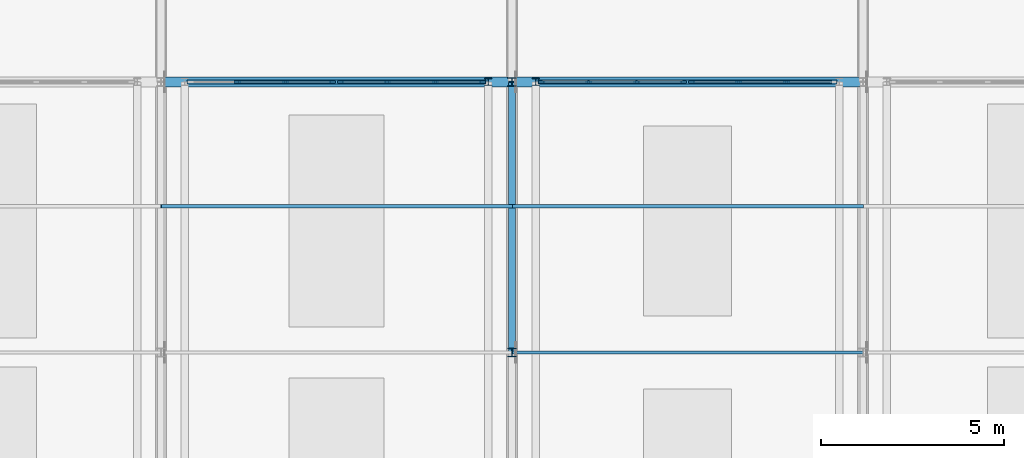
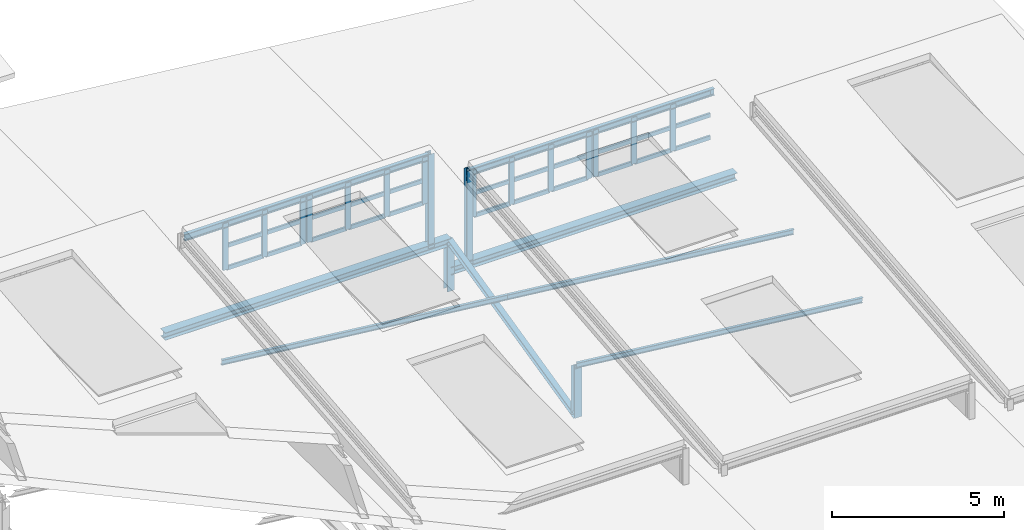
# One storey, part 18 of 30: 55 members, 4 beams, 4 elements without a shape of their own.
"""IFC4 building model written with IfcOpenShell, lengths in metres."""

from ifc_helpers import new_model, si_unit, direction, frame, origin, origin_2d, place, context, subcontext, project, spatial, rectangle, i_section, extrude, material, layer, layer_set, material_profile, profile_set, type_object, element, aggregate, save


model = new_model("IFC4")

# Units and contexts
model_context = context("Model", 3, precision=1e-05, world=origin(), true_north=direction((0.0, 1.0)))
body_context = subcontext(model_context, "Body", "Model", "MODEL_VIEW")
ifc_project = project(units=[si_unit("LENGTHUNIT", "METRE"), si_unit("AREAUNIT", "SQUARE_METRE"), si_unit("VOLUMEUNIT", "CUBIC_METRE"), si_unit("PLANEANGLEUNIT", "RADIAN"), si_unit("MASSUNIT", "GRAM", prefix="KILO")], contexts=[model_context])

# Site, building, storey
site_placement = place(None, origin())
site = spatial("IfcSite", under=ifc_project, at=site_placement, CompositionType="ELEMENT")
building_placement = place(site_placement, origin())
building = spatial("IfcBuilding", under=site, at=building_placement, Name="Alderhovde Museum", CompositionType="ELEMENT")
storey_placement = place(building_placement, frame((0.0, 0.0, 30.699951171875)))
storey = spatial("IfcBuildingStorey", under=building, at=storey_placement, Name="RF", CompositionType="ELEMENT", Elevation=30.699951171875)

# Beams
ifc_material_1 = material(Name="Steel S355J2", Category="steel")
ifc_material_profile_1 = material_profile(ifc_material_1, i_section(OverallWidth=0.280029296875, OverallDepth=0.27001953125, WebThickness=0.008056640625, FlangeThickness=0.012939453125, FilletRadius=0.02392578125, at=origin_2d()), Name="HEA 280")
ifc_profile_set_1 = profile_set([ifc_material_profile_1], Name="Steel S355J2")
beam_type_1 = type_object("IfcBeamType", Name="BM-HEA280", PredefinedType="BEAM", material=ifc_profile_set_1)
beam_1_placement = place(storey_placement, frame((48.0, 71.39990234375, -5.92333984375), z_axis=(1.0, 0.0, 0.0), x_axis=(0.0, 1.0, 0.0)))
element("IfcBeam", 1, at=beam_1_placement, inside=storey, type_object=beam_type_1, Name="Sawtooth Monitor Stringer Bay 5-N", PredefinedType="BEAM", context=body_context, shape_type="SweptSolid", body=[
    extrude(i_section(OverallWidth=0.280029296875, OverallDepth=0.27001953125, WebThickness=0.008056640625, FlangeThickness=0.012939453125, FilletRadius=0.02392578125, at=origin_2d()), origin(), (0.0, 0.0, 1.0), 9.60009765625),
])
beam_2_placement = place(storey_placement, frame((57.60009765625, 71.39990234375, -6.961669921875), z_axis=(1.0, 0.0, 0.0), x_axis=(0.0, 1.0, 0.0)))
element("IfcBeam", 2, at=beam_2_placement, inside=storey, type_object=beam_type_1, Name="Sawtooth Monitor Stringer Bay 6-N", PredefinedType="BEAM", context=body_context, shape_type="SweptSolid", body=[
    extrude(i_section(OverallWidth=0.280029296875, OverallDepth=0.27001953125, WebThickness=0.008056640625, FlangeThickness=0.012939453125, FilletRadius=0.02392578125, at=origin_2d()), origin(), (0.0, 0.0, 1.0), 9.599853515625),
])
ifc_material_2 = material(Name="Steel S355J2", Category="steel")
ifc_material_profile_2 = material_profile(ifc_material_2, i_section(OverallWidth=0.1201171875, OverallDepth=0.239990234375, WebThickness=0.006103515625, FlangeThickness=0.009765625, FilletRadius=0.014892578125, at=origin_2d()), Name="IPE 240")
ifc_profile_set_2 = profile_set([ifc_material_profile_2], Name="Steel S355J2")
beam_type_2 = type_object("IfcBeamType", Name="BM-IPE240", PredefinedType="BEAM", material=ifc_profile_set_2)
for number, where, z_axis, x_axis, name in (
    (3, (48.7099609375, 71.39990234375, -2.71484375), (1.0, 0.0, 0.0), (0.0, 1.0, 0.0), "Sawtooth Monitor Wedge Rafter Bay 5-N"),
    (4, (58.31005859375, 71.39990234375, -3.753173828125), (1.0, 0.0, 0.0), (0.0, 1.0, 0.0), "Sawtooth Monitor Wedge Rafter Bay 6-N"),
):
    element("IfcBeam", number, at=place(storey_placement, frame(where, z_axis=z_axis, x_axis=x_axis)), inside=storey, type_object=beam_type_2, Name=name, PredefinedType="BEAM", context=body_context, shape_type="SweptSolid", body=[
        extrude(i_section(OverallWidth=0.1201171875, OverallDepth=0.239990234375, WebThickness=0.006103515625, FlangeThickness=0.009765625, FilletRadius=0.014892578125, at=origin_2d()), origin(), (0.0, 0.0, 1.0), 8.179931640625),
    ])

# Curtain wall, members
ifc_material_3 = material(Name="Triple-Glazed Bronze-Anodised Curtain Wall", Category="glass")
ifc_layer = layer(ifc_material_3, 0.179931640625)
ifc_layer_set = layer_set([ifc_layer], Name="Triple-Glazed Bronze-Anodised Curtain Wall")
curtain_wall_type = type_object("IfcCurtainWallType", Name="CW-STIC-394x166", PredefinedType="USERDEFINED", material=ifc_layer_set)
curtain_wall_1_placement = place(storey_placement, origin())
curtain_wall_1 = element("IfcCurtainWall", 5, at=curtain_wall_1_placement, inside=storey, type_object=curtain_wall_type, Name="RF Stick Curtain Wall 173", ObjectType="STICK CURTAIN WALL", PredefinedType="USERDEFINED")
ifc_material_4 = material(Name="Bronze-Anodised Aluminium EN AW-6063-T6", Category="aluminium")
ifc_material_profile_3 = material_profile(ifc_material_4, rectangle(XDim=0.06494140625, YDim=0.179931640625, at=origin_2d()), Name="MULLION 65x180")
ifc_profile_set_3 = profile_set([ifc_material_profile_3], Name="Bronze-Anodised Aluminium EN AW-6063-T6")
member_type_1 = type_object("IfcMemberType", Name="CWM-65x180", PredefinedType="MULLION", material=ifc_profile_set_3)
member_1_placement = place(storey_placement, frame((50.09326171875, 71.39990234375, -4.344970703125), z_axis=(0.0, 0.0, 1.0), x_axis=(0.0, 1.0, 0.0)))
member_1 = element("IfcMember", 6, at=member_1_placement, type_object=member_type_1, Name="CW39 mullion 2", PredefinedType="MULLION", context=body_context, shape_type="SweptSolid", body=[
    extrude(rectangle(XDim=0.06494140625, YDim=0.179931640625, at=origin_2d()), origin(), (0.0, 0.0, 1.0), 1.659912109375),
])
member_2_placement = place(storey_placement, frame((51.40673828125, 71.39990234375, -4.344970703125), z_axis=(0.0, 0.0, 1.0), x_axis=(0.0, 1.0, 0.0)))
member_2 = element("IfcMember", 7, at=member_2_placement, type_object=member_type_1, Name="CW39 mullion 3", PredefinedType="MULLION", context=body_context, shape_type="SweptSolid", body=[
    extrude(rectangle(XDim=0.06494140625, YDim=0.179931640625, at=origin_2d()), origin(), (0.0, 0.0, 1.0), 1.659912109375),
])
member_3_placement = place(storey_placement, frame((52.6875, 71.39990234375, -4.344970703125), z_axis=(0.0, 0.0, 1.0), x_axis=(0.0, 1.0, 0.0)))
member_3 = element("IfcMember", 8, at=member_3_placement, type_object=member_type_1, Name="CW39 mullion 4", PredefinedType="MULLION", context=body_context, shape_type="SweptSolid", body=[
    extrude(rectangle(XDim=0.06494140625, YDim=0.179931640625, at=origin_2d()), origin(), (0.0, 0.0, 1.0), 1.659912109375),
])

curtain_wall_2_placement = place(storey_placement, origin())
curtain_wall_2 = element("IfcCurtainWall", 9, at=curtain_wall_2_placement, inside=storey, type_object=curtain_wall_type, Name="RF Stick Curtain Wall 174", ObjectType="STICK CURTAIN WALL", PredefinedType="USERDEFINED")
member_4_placement = place(storey_placement, frame((52.91259765625, 71.39990234375, -4.344970703125), z_axis=(0.0, 0.0, 1.0), x_axis=(0.0, 1.0, 0.0)))
member_4 = element("IfcMember", 10, at=member_4_placement, type_object=member_type_1, Name="CW39 mullion 1", PredefinedType="MULLION", context=body_context, shape_type="SweptSolid", body=[
    extrude(rectangle(XDim=0.06494140625, YDim=0.179931640625, at=origin_2d()), origin(), (0.0, 0.0, 1.0), 1.659912109375),
])
member_5_placement = place(storey_placement, frame((54.193359375, 71.39990234375, -4.344970703125), z_axis=(0.0, 0.0, 1.0), x_axis=(0.0, 1.0, 0.0)))
member_5 = element("IfcMember", 11, at=member_5_placement, type_object=member_type_1, Name="CW39 mullion 2", PredefinedType="MULLION", context=body_context, shape_type="SweptSolid", body=[
    extrude(rectangle(XDim=0.06494140625, YDim=0.179931640625, at=origin_2d()), origin(), (0.0, 0.0, 1.0), 1.659912109375),
])
member_6_placement = place(storey_placement, frame((55.506591796875, 71.39990234375, -4.344970703125), z_axis=(0.0, 0.0, 1.0), x_axis=(0.0, 1.0, 0.0)))
member_6 = element("IfcMember", 12, at=member_6_placement, type_object=member_type_1, Name="CW39 mullion 3", PredefinedType="MULLION", context=body_context, shape_type="SweptSolid", body=[
    extrude(rectangle(XDim=0.06494140625, YDim=0.179931640625, at=origin_2d()), origin(), (0.0, 0.0, 1.0), 1.659912109375),
])
member_7_placement = place(storey_placement, frame((56.78759765625, 71.39990234375, -4.344970703125), z_axis=(0.0, 0.0, 1.0), x_axis=(0.0, 1.0, 0.0)))
member_7 = element("IfcMember", 13, at=member_7_placement, type_object=member_type_1, Name="CW39 mullion 4", PredefinedType="MULLION", context=body_context, shape_type="SweptSolid", body=[
    extrude(rectangle(XDim=0.06494140625, YDim=0.179931640625, at=origin_2d()), origin(), (0.0, 0.0, 1.0), 1.659912109375),
])

curtain_wall_3_placement = place(storey_placement, origin())
curtain_wall_3 = element("IfcCurtainWall", 14, at=curtain_wall_3_placement, inside=storey, type_object=curtain_wall_type, Name="RF Stick Curtain Wall 175", ObjectType="STICK CURTAIN WALL", PredefinedType="USERDEFINED")
member_8_placement = place(storey_placement, frame((58.41259765625, 71.39990234375, -5.383056640625), z_axis=(0.0, 0.0, 1.0), x_axis=(0.0, 1.0, 0.0)))
member_8 = element("IfcMember", 15, at=member_8_placement, type_object=member_type_1, Name="CW39 mullion 1", PredefinedType="MULLION", context=body_context, shape_type="SweptSolid", body=[
    extrude(rectangle(XDim=0.06494140625, YDim=0.179931640625, at=origin_2d()), origin(), (0.0, 0.0, 1.0), 1.66015625),
])
member_9_placement = place(storey_placement, frame((59.693359375, 71.39990234375, -5.383056640625), z_axis=(0.0, 0.0, 1.0), x_axis=(0.0, 1.0, 0.0)))
member_9 = element("IfcMember", 16, at=member_9_placement, type_object=member_type_1, Name="CW39 mullion 2", PredefinedType="MULLION", context=body_context, shape_type="SweptSolid", body=[
    extrude(rectangle(XDim=0.06494140625, YDim=0.179931640625, at=origin_2d()), origin(), (0.0, 0.0, 1.0), 1.66015625),
])
member_10_placement = place(storey_placement, frame((61.006591796875, 71.39990234375, -5.383056640625), z_axis=(0.0, 0.0, 1.0), x_axis=(0.0, 1.0, 0.0)))
member_10 = element("IfcMember", 17, at=member_10_placement, type_object=member_type_1, Name="CW39 mullion 3", PredefinedType="MULLION", context=body_context, shape_type="SweptSolid", body=[
    extrude(rectangle(XDim=0.06494140625, YDim=0.179931640625, at=origin_2d()), origin(), (0.0, 0.0, 1.0), 1.66015625),
])
member_11_placement = place(storey_placement, frame((62.28759765625, 71.39990234375, -5.383056640625), z_axis=(0.0, 0.0, 1.0), x_axis=(0.0, 1.0, 0.0)))
member_11 = element("IfcMember", 18, at=member_11_placement, type_object=member_type_1, Name="CW39 mullion 4", PredefinedType="MULLION", context=body_context, shape_type="SweptSolid", body=[
    extrude(rectangle(XDim=0.06494140625, YDim=0.179931640625, at=origin_2d()), origin(), (0.0, 0.0, 1.0), 1.66015625),
])

curtain_wall_4_placement = place(storey_placement, origin())
curtain_wall_4 = element("IfcCurtainWall", 19, at=curtain_wall_4_placement, inside=storey, type_object=curtain_wall_type, Name="RF Stick Curtain Wall 176", ObjectType="STICK CURTAIN WALL", PredefinedType="USERDEFINED")
member_12_placement = place(storey_placement, frame((62.512451171875, 71.39990234375, -5.383056640625), z_axis=(0.0, 0.0, 1.0), x_axis=(0.0, 1.0, 0.0)))
member_12 = element("IfcMember", 20, at=member_12_placement, type_object=member_type_1, Name="CW39 mullion 1", PredefinedType="MULLION", context=body_context, shape_type="SweptSolid", body=[
    extrude(rectangle(XDim=0.06494140625, YDim=0.179931640625, at=origin_2d()), origin(), (0.0, 0.0, 1.0), 1.66015625),
])
member_13_placement = place(storey_placement, frame((63.793212890625, 71.39990234375, -5.383056640625), z_axis=(0.0, 0.0, 1.0), x_axis=(0.0, 1.0, 0.0)))
member_13 = element("IfcMember", 21, at=member_13_placement, type_object=member_type_1, Name="CW39 mullion 2", PredefinedType="MULLION", context=body_context, shape_type="SweptSolid", body=[
    extrude(rectangle(XDim=0.06494140625, YDim=0.179931640625, at=origin_2d()), origin(), (0.0, 0.0, 1.0), 1.66015625),
])
member_14_placement = place(storey_placement, frame((65.106689453125, 71.39990234375, -5.383056640625), z_axis=(0.0, 0.0, 1.0), x_axis=(0.0, 1.0, 0.0)))
member_14 = element("IfcMember", 22, at=member_14_placement, type_object=member_type_1, Name="CW39 mullion 3", PredefinedType="MULLION", context=body_context, shape_type="SweptSolid", body=[
    extrude(rectangle(XDim=0.06494140625, YDim=0.179931640625, at=origin_2d()), origin(), (0.0, 0.0, 1.0), 1.66015625),
])

# Member
ifc_material_5 = material(Name="Bronze-Anodised Aluminium EN AW-6063-T6", Category="aluminium")
ifc_material_profile_4 = material_profile(ifc_material_5, rectangle(XDim=0.06494140625, YDim=0.139892578125, at=origin_2d()), Name="TRANSOM 65x140")
ifc_profile_set_4 = profile_set([ifc_material_profile_4], Name="Bronze-Anodised Aluminium EN AW-6063-T6")
member_type_2 = type_object("IfcMemberType", Name="CWT-65x140", PredefinedType="USERDEFINED", material=ifc_profile_set_4)
member_15_placement = place(storey_placement, frame((50.125732421875, 71.39990234375, -4.3125), z_axis=(1.0, 0.0, 0.0), x_axis=(0.0, 1.0, 0.0)))
member_15 = element("IfcMember", 23, at=member_15_placement, type_object=member_type_2, Name="CW39 transom 2.1", ObjectType="TRANSOM", PredefinedType="USERDEFINED", context=body_context, shape_type="SweptSolid", body=[
    extrude(rectangle(XDim=0.06494140625, YDim=0.139892578125, at=origin_2d()), origin(), (0.0, 0.0, 1.0), 1.24853515625),
])

member_16_placement = place(storey_placement, frame((50.125732421875, 71.39990234375, -3.514892578125), z_axis=(1.0, 0.0, 0.0), x_axis=(0.0, 1.0, 0.0)))
member_16 = element("IfcMember", 24, at=member_16_placement, type_object=member_type_2, Name="CW39 transom 2.2", ObjectType="TRANSOM", PredefinedType="USERDEFINED", context=body_context, shape_type="SweptSolid", body=[
    extrude(rectangle(XDim=0.06494140625, YDim=0.139892578125, at=origin_2d()), origin(), (0.0, 0.0, 1.0), 1.24853515625),
])

member_17_placement = place(storey_placement, frame((50.125732421875, 71.39990234375, -2.717529296875), z_axis=(1.0, 0.0, 0.0), x_axis=(0.0, 1.0, 0.0)))
member_17 = element("IfcMember", 25, at=member_17_placement, type_object=member_type_2, Name="CW39 transom 2.3", ObjectType="TRANSOM", PredefinedType="USERDEFINED", context=body_context, shape_type="SweptSolid", body=[
    extrude(rectangle(XDim=0.06494140625, YDim=0.139892578125, at=origin_2d()), origin(), (0.0, 0.0, 1.0), 1.24853515625),
])

member_18_placement = place(storey_placement, frame((51.439208984375, 71.39990234375, -4.3125), z_axis=(1.0, 0.0, 0.0), x_axis=(0.0, 1.0, 0.0)))
member_18 = element("IfcMember", 26, at=member_18_placement, type_object=member_type_2, Name="CW39 transom 3.1", ObjectType="TRANSOM", PredefinedType="USERDEFINED", context=body_context, shape_type="SweptSolid", body=[
    extrude(rectangle(XDim=0.06494140625, YDim=0.139892578125, at=origin_2d()), origin(), (0.0, 0.0, 1.0), 1.2158203125),
])

member_19_placement = place(storey_placement, frame((51.439208984375, 71.39990234375, -3.514892578125), z_axis=(1.0, 0.0, 0.0), x_axis=(0.0, 1.0, 0.0)))
member_19 = element("IfcMember", 27, at=member_19_placement, type_object=member_type_2, Name="CW39 transom 3.2", ObjectType="TRANSOM", PredefinedType="USERDEFINED", context=body_context, shape_type="SweptSolid", body=[
    extrude(rectangle(XDim=0.06494140625, YDim=0.139892578125, at=origin_2d()), origin(), (0.0, 0.0, 1.0), 1.2158203125),
])

member_20_placement = place(storey_placement, frame((51.439208984375, 71.39990234375, -2.717529296875), z_axis=(1.0, 0.0, 0.0), x_axis=(0.0, 1.0, 0.0)))
member_20 = element("IfcMember", 28, at=member_20_placement, type_object=member_type_2, Name="CW39 transom 3.3", ObjectType="TRANSOM", PredefinedType="USERDEFINED", context=body_context, shape_type="SweptSolid", body=[
    extrude(rectangle(XDim=0.06494140625, YDim=0.139892578125, at=origin_2d()), origin(), (0.0, 0.0, 1.0), 1.2158203125),
])

aggregate(curtain_wall_1, [member_1, member_2, member_3, member_15, member_16, member_17, member_18, member_19, member_20])

member_21_placement = place(storey_placement, frame((52.945068359375, 71.39990234375, -4.3125), z_axis=(1.0, 0.0, 0.0), x_axis=(0.0, 1.0, 0.0)))
member_21 = element("IfcMember", 29, at=member_21_placement, type_object=member_type_2, Name="CW39 transom 1.1", ObjectType="TRANSOM", PredefinedType="USERDEFINED", context=body_context, shape_type="SweptSolid", body=[
    extrude(rectangle(XDim=0.06494140625, YDim=0.139892578125, at=origin_2d()), origin(), (0.0, 0.0, 1.0), 1.2158203125),
])

member_22_placement = place(storey_placement, frame((52.945068359375, 71.39990234375, -3.514892578125), z_axis=(1.0, 0.0, 0.0), x_axis=(0.0, 1.0, 0.0)))
member_22 = element("IfcMember", 30, at=member_22_placement, type_object=member_type_2, Name="CW39 transom 1.2", ObjectType="TRANSOM", PredefinedType="USERDEFINED", context=body_context, shape_type="SweptSolid", body=[
    extrude(rectangle(XDim=0.06494140625, YDim=0.139892578125, at=origin_2d()), origin(), (0.0, 0.0, 1.0), 1.2158203125),
])

member_23_placement = place(storey_placement, frame((52.945068359375, 71.39990234375, -2.717529296875), z_axis=(1.0, 0.0, 0.0), x_axis=(0.0, 1.0, 0.0)))
member_23 = element("IfcMember", 31, at=member_23_placement, type_object=member_type_2, Name="CW39 transom 1.3", ObjectType="TRANSOM", PredefinedType="USERDEFINED", context=body_context, shape_type="SweptSolid", body=[
    extrude(rectangle(XDim=0.06494140625, YDim=0.139892578125, at=origin_2d()), origin(), (0.0, 0.0, 1.0), 1.2158203125),
])

member_24_placement = place(storey_placement, frame((54.225830078125, 71.39990234375, -4.3125), z_axis=(1.0, 0.0, 0.0), x_axis=(0.0, 1.0, 0.0)))
member_24 = element("IfcMember", 32, at=member_24_placement, type_object=member_type_2, Name="CW39 transom 2.1", ObjectType="TRANSOM", PredefinedType="USERDEFINED", context=body_context, shape_type="SweptSolid", body=[
    extrude(rectangle(XDim=0.06494140625, YDim=0.139892578125, at=origin_2d()), origin(), (0.0, 0.0, 1.0), 1.248291015625),
])

member_25_placement = place(storey_placement, frame((54.225830078125, 71.39990234375, -3.514892578125), z_axis=(1.0, 0.0, 0.0), x_axis=(0.0, 1.0, 0.0)))
member_25 = element("IfcMember", 33, at=member_25_placement, type_object=member_type_2, Name="CW39 transom 2.2", ObjectType="TRANSOM", PredefinedType="USERDEFINED", context=body_context, shape_type="SweptSolid", body=[
    extrude(rectangle(XDim=0.06494140625, YDim=0.139892578125, at=origin_2d()), origin(), (0.0, 0.0, 1.0), 1.248291015625),
])

member_26_placement = place(storey_placement, frame((54.225830078125, 71.39990234375, -2.717529296875), z_axis=(1.0, 0.0, 0.0), x_axis=(0.0, 1.0, 0.0)))
member_26 = element("IfcMember", 34, at=member_26_placement, type_object=member_type_2, Name="CW39 transom 2.3", ObjectType="TRANSOM", PredefinedType="USERDEFINED", context=body_context, shape_type="SweptSolid", body=[
    extrude(rectangle(XDim=0.06494140625, YDim=0.139892578125, at=origin_2d()), origin(), (0.0, 0.0, 1.0), 1.248291015625),
])

member_27_placement = place(storey_placement, frame((55.5390625, 71.39990234375, -4.3125), z_axis=(1.0, 0.0, 0.0), x_axis=(0.0, 1.0, 0.0)))
member_27 = element("IfcMember", 35, at=member_27_placement, type_object=member_type_2, Name="CW39 transom 3.1", ObjectType="TRANSOM", PredefinedType="USERDEFINED", context=body_context, shape_type="SweptSolid", body=[
    extrude(rectangle(XDim=0.06494140625, YDim=0.139892578125, at=origin_2d()), origin(), (0.0, 0.0, 1.0), 1.2158203125),
])

member_28_placement = place(storey_placement, frame((55.5390625, 71.39990234375, -3.514892578125), z_axis=(1.0, 0.0, 0.0), x_axis=(0.0, 1.0, 0.0)))
member_28 = element("IfcMember", 36, at=member_28_placement, type_object=member_type_2, Name="CW39 transom 3.2", ObjectType="TRANSOM", PredefinedType="USERDEFINED", context=body_context, shape_type="SweptSolid", body=[
    extrude(rectangle(XDim=0.06494140625, YDim=0.139892578125, at=origin_2d()), origin(), (0.0, 0.0, 1.0), 1.2158203125),
])

member_29_placement = place(storey_placement, frame((55.5390625, 71.39990234375, -2.717529296875), z_axis=(1.0, 0.0, 0.0), x_axis=(0.0, 1.0, 0.0)))
member_29 = element("IfcMember", 37, at=member_29_placement, type_object=member_type_2, Name="CW39 transom 3.3", ObjectType="TRANSOM", PredefinedType="USERDEFINED", context=body_context, shape_type="SweptSolid", body=[
    extrude(rectangle(XDim=0.06494140625, YDim=0.139892578125, at=origin_2d()), origin(), (0.0, 0.0, 1.0), 1.2158203125),
])

aggregate(curtain_wall_2, [member_4, member_5, member_6, member_7, member_21, member_22, member_23, member_24, member_25, member_26, member_27, member_28, member_29])

member_30_placement = place(storey_placement, frame((58.445068359375, 71.39990234375, -5.350341796875), z_axis=(1.0, 0.0, 0.0), x_axis=(0.0, 1.0, 0.0)))
member_30 = element("IfcMember", 38, at=member_30_placement, type_object=member_type_2, Name="CW39 transom 1.1", ObjectType="TRANSOM", PredefinedType="USERDEFINED", context=body_context, shape_type="SweptSolid", body=[
    extrude(rectangle(XDim=0.06494140625, YDim=0.139892578125, at=origin_2d()), origin(), (0.0, 0.0, 1.0), 1.2158203125),
])

member_31_placement = place(storey_placement, frame((58.445068359375, 71.39990234375, -4.552978515625), z_axis=(1.0, 0.0, 0.0), x_axis=(0.0, 1.0, 0.0)))
member_31 = element("IfcMember", 39, at=member_31_placement, type_object=member_type_2, Name="CW39 transom 1.2", ObjectType="TRANSOM", PredefinedType="USERDEFINED", context=body_context, shape_type="SweptSolid", body=[
    extrude(rectangle(XDim=0.06494140625, YDim=0.139892578125, at=origin_2d()), origin(), (0.0, 0.0, 1.0), 1.2158203125),
])

member_32_placement = place(storey_placement, frame((58.445068359375, 71.39990234375, -3.75537109375), z_axis=(1.0, 0.0, 0.0), x_axis=(0.0, 1.0, 0.0)))
member_32 = element("IfcMember", 40, at=member_32_placement, type_object=member_type_2, Name="CW39 transom 1.3", ObjectType="TRANSOM", PredefinedType="USERDEFINED", context=body_context, shape_type="SweptSolid", body=[
    extrude(rectangle(XDim=0.06494140625, YDim=0.139892578125, at=origin_2d()), origin(), (0.0, 0.0, 1.0), 1.2158203125),
])

member_33_placement = place(storey_placement, frame((59.725830078125, 71.39990234375, -5.350341796875), z_axis=(1.0, 0.0, 0.0), x_axis=(0.0, 1.0, 0.0)))
member_33 = element("IfcMember", 41, at=member_33_placement, type_object=member_type_2, Name="CW39 transom 2.1", ObjectType="TRANSOM", PredefinedType="USERDEFINED", context=body_context, shape_type="SweptSolid", body=[
    extrude(rectangle(XDim=0.06494140625, YDim=0.139892578125, at=origin_2d()), origin(), (0.0, 0.0, 1.0), 1.248291015625),
])

member_34_placement = place(storey_placement, frame((59.725830078125, 71.39990234375, -4.552978515625), z_axis=(1.0, 0.0, 0.0), x_axis=(0.0, 1.0, 0.0)))
member_34 = element("IfcMember", 42, at=member_34_placement, type_object=member_type_2, Name="CW39 transom 2.2", ObjectType="TRANSOM", PredefinedType="USERDEFINED", context=body_context, shape_type="SweptSolid", body=[
    extrude(rectangle(XDim=0.06494140625, YDim=0.139892578125, at=origin_2d()), origin(), (0.0, 0.0, 1.0), 1.248291015625),
])

member_35_placement = place(storey_placement, frame((59.725830078125, 71.39990234375, -3.75537109375), z_axis=(1.0, 0.0, 0.0), x_axis=(0.0, 1.0, 0.0)))
member_35 = element("IfcMember", 43, at=member_35_placement, type_object=member_type_2, Name="CW39 transom 2.3", ObjectType="TRANSOM", PredefinedType="USERDEFINED", context=body_context, shape_type="SweptSolid", body=[
    extrude(rectangle(XDim=0.06494140625, YDim=0.139892578125, at=origin_2d()), origin(), (0.0, 0.0, 1.0), 1.248291015625),
])

member_36_placement = place(storey_placement, frame((61.0390625, 71.39990234375, -5.350341796875), z_axis=(1.0, 0.0, 0.0), x_axis=(0.0, 1.0, 0.0)))
member_36 = element("IfcMember", 44, at=member_36_placement, type_object=member_type_2, Name="CW39 transom 3.1", ObjectType="TRANSOM", PredefinedType="USERDEFINED", context=body_context, shape_type="SweptSolid", body=[
    extrude(rectangle(XDim=0.06494140625, YDim=0.139892578125, at=origin_2d()), origin(), (0.0, 0.0, 1.0), 1.2158203125),
])

member_37_placement = place(storey_placement, frame((61.0390625, 71.39990234375, -4.552978515625), z_axis=(1.0, 0.0, 0.0), x_axis=(0.0, 1.0, 0.0)))
member_37 = element("IfcMember", 45, at=member_37_placement, type_object=member_type_2, Name="CW39 transom 3.2", ObjectType="TRANSOM", PredefinedType="USERDEFINED", context=body_context, shape_type="SweptSolid", body=[
    extrude(rectangle(XDim=0.06494140625, YDim=0.139892578125, at=origin_2d()), origin(), (0.0, 0.0, 1.0), 1.2158203125),
])

member_38_placement = place(storey_placement, frame((61.0390625, 71.39990234375, -3.75537109375), z_axis=(1.0, 0.0, 0.0), x_axis=(0.0, 1.0, 0.0)))
member_38 = element("IfcMember", 46, at=member_38_placement, type_object=member_type_2, Name="CW39 transom 3.3", ObjectType="TRANSOM", PredefinedType="USERDEFINED", context=body_context, shape_type="SweptSolid", body=[
    extrude(rectangle(XDim=0.06494140625, YDim=0.139892578125, at=origin_2d()), origin(), (0.0, 0.0, 1.0), 1.2158203125),
])

aggregate(curtain_wall_3, [member_8, member_9, member_10, member_11, member_30, member_31, member_32, member_33, member_34, member_35, member_36, member_37, member_38])

member_39_placement = place(storey_placement, frame((62.544921875, 71.39990234375, -5.350341796875), z_axis=(1.0, 0.0, 0.0), x_axis=(0.0, 1.0, 0.0)))
member_39 = element("IfcMember", 47, at=member_39_placement, type_object=member_type_2, Name="CW39 transom 1.1", ObjectType="TRANSOM", PredefinedType="USERDEFINED", context=body_context, shape_type="SweptSolid", body=[
    extrude(rectangle(XDim=0.06494140625, YDim=0.139892578125, at=origin_2d()), origin(), (0.0, 0.0, 1.0), 1.2158203125),
])

member_40_placement = place(storey_placement, frame((62.544921875, 71.39990234375, -4.552978515625), z_axis=(1.0, 0.0, 0.0), x_axis=(0.0, 1.0, 0.0)))
member_40 = element("IfcMember", 48, at=member_40_placement, type_object=member_type_2, Name="CW39 transom 1.2", ObjectType="TRANSOM", PredefinedType="USERDEFINED", context=body_context, shape_type="SweptSolid", body=[
    extrude(rectangle(XDim=0.06494140625, YDim=0.139892578125, at=origin_2d()), origin(), (0.0, 0.0, 1.0), 1.2158203125),
])

member_41_placement = place(storey_placement, frame((62.544921875, 71.39990234375, -3.75537109375), z_axis=(1.0, 0.0, 0.0), x_axis=(0.0, 1.0, 0.0)))
member_41 = element("IfcMember", 49, at=member_41_placement, type_object=member_type_2, Name="CW39 transom 1.3", ObjectType="TRANSOM", PredefinedType="USERDEFINED", context=body_context, shape_type="SweptSolid", body=[
    extrude(rectangle(XDim=0.06494140625, YDim=0.139892578125, at=origin_2d()), origin(), (0.0, 0.0, 1.0), 1.2158203125),
])

member_42_placement = place(storey_placement, frame((63.825927734375, 71.39990234375, -5.350341796875), z_axis=(1.0, 0.0, 0.0), x_axis=(0.0, 1.0, 0.0)))
member_42 = element("IfcMember", 50, at=member_42_placement, type_object=member_type_2, Name="CW39 transom 2.1", ObjectType="TRANSOM", PredefinedType="USERDEFINED", context=body_context, shape_type="SweptSolid", body=[
    extrude(rectangle(XDim=0.06494140625, YDim=0.139892578125, at=origin_2d()), origin(), (0.0, 0.0, 1.0), 1.248291015625),
])

member_43_placement = place(storey_placement, frame((63.825927734375, 71.39990234375, -4.552978515625), z_axis=(1.0, 0.0, 0.0), x_axis=(0.0, 1.0, 0.0)))
member_43 = element("IfcMember", 51, at=member_43_placement, type_object=member_type_2, Name="CW39 transom 2.2", ObjectType="TRANSOM", PredefinedType="USERDEFINED", context=body_context, shape_type="SweptSolid", body=[
    extrude(rectangle(XDim=0.06494140625, YDim=0.139892578125, at=origin_2d()), origin(), (0.0, 0.0, 1.0), 1.248291015625),
])

member_44_placement = place(storey_placement, frame((63.825927734375, 71.39990234375, -3.75537109375), z_axis=(1.0, 0.0, 0.0), x_axis=(0.0, 1.0, 0.0)))
member_44 = element("IfcMember", 52, at=member_44_placement, type_object=member_type_2, Name="CW39 transom 2.3", ObjectType="TRANSOM", PredefinedType="USERDEFINED", context=body_context, shape_type="SweptSolid", body=[
    extrude(rectangle(XDim=0.06494140625, YDim=0.139892578125, at=origin_2d()), origin(), (0.0, 0.0, 1.0), 1.248291015625),
])

member_45_placement = place(storey_placement, frame((65.13916015625, 71.39990234375, -5.350341796875), z_axis=(1.0, 0.0, 0.0), x_axis=(0.0, 1.0, 0.0)))
member_45 = element("IfcMember", 53, at=member_45_placement, type_object=member_type_2, Name="CW39 transom 3.1", ObjectType="TRANSOM", PredefinedType="USERDEFINED", context=body_context, shape_type="SweptSolid", body=[
    extrude(rectangle(XDim=0.06494140625, YDim=0.139892578125, at=origin_2d()), origin(), (0.0, 0.0, 1.0), 1.2158203125),
])

member_46_placement = place(storey_placement, frame((65.13916015625, 71.39990234375, -4.552978515625), z_axis=(1.0, 0.0, 0.0), x_axis=(0.0, 1.0, 0.0)))
member_46 = element("IfcMember", 54, at=member_46_placement, type_object=member_type_2, Name="CW39 transom 3.2", ObjectType="TRANSOM", PredefinedType="USERDEFINED", context=body_context, shape_type="SweptSolid", body=[
    extrude(rectangle(XDim=0.06494140625, YDim=0.139892578125, at=origin_2d()), origin(), (0.0, 0.0, 1.0), 1.2158203125),
])

member_47_placement = place(storey_placement, frame((65.13916015625, 71.39990234375, -3.75537109375), z_axis=(1.0, 0.0, 0.0), x_axis=(0.0, 1.0, 0.0)))
member_47 = element("IfcMember", 55, at=member_47_placement, type_object=member_type_2, Name="CW39 transom 3.3", ObjectType="TRANSOM", PredefinedType="USERDEFINED", context=body_context, shape_type="SweptSolid", body=[
    extrude(rectangle(XDim=0.06494140625, YDim=0.139892578125, at=origin_2d()), origin(), (0.0, 0.0, 1.0), 1.2158203125),
])

aggregate(curtain_wall_4, [member_12, member_13, member_14, member_39, member_40, member_41, member_42, member_43, member_44, member_45, member_46, member_47])

# Members
ifc_material_6 = material(Name="Steel S355J2", Category="steel")
ifc_material_profile_5 = material_profile(ifc_material_6, i_section(OverallWidth=0.091064453125, OverallDepth=0.179931640625, WebThickness=0.00537109375, FlangeThickness=0.008056640625, FilletRadius=0.009033203125, at=origin_2d()), Name="IPE 180")
ifc_profile_set_5 = profile_set([ifc_material_profile_5], Name="Steel S355J2")
member_type_3 = type_object("IfcMemberType", Name="PRL-IPE180", PredefinedType="PURLIN", material=ifc_profile_set_5)
member_48_placement = place(storey_placement, frame((48.0, 68.0, -4.844970703125), z_axis=(0.994201715794, 0.0, -0.107531150432), x_axis=(0.0, 1.0, 0.0)))
element("IfcMember", 56, at=member_48_placement, inside=storey, type_object=member_type_3, Name="Folded Wing Roof Purlin Bay 5 Y=68", PredefinedType="PURLIN", context=body_context, shape_type="SweptSolid", body=[
    extrude(i_section(OverallWidth=0.091064453125, OverallDepth=0.179931640625, WebThickness=0.00537109375, FlangeThickness=0.008056640625, FilletRadius=0.009033203125, at=origin_2d()), origin(), (0.0, 0.0, 1.0), 9.656005859375),
])
for number, where, z_axis, x_axis, name in (
    (57, (57.60009765625, 64.0, -5.88330078125), (0.99420142343, 0.0, -0.107533853509), (0.0, 1.0, 0.0), "Folded Wing Roof Purlin Bay 6 Y=64"),
    (58, (57.60009765625, 68.0, -5.88330078125), (0.99420142343, 0.0, -0.107533853509), (0.0, 1.0, 0.0), "Folded Wing Roof Purlin Bay 6 Y=68"),
):
    element("IfcMember", number, at=place(storey_placement, frame(where, z_axis=z_axis, x_axis=x_axis)), inside=storey, type_object=member_type_3, Name=name, PredefinedType="PURLIN", context=body_context, shape_type="SweptSolid", body=[
        extrude(i_section(OverallWidth=0.091064453125, OverallDepth=0.179931640625, WebThickness=0.00537109375, FlangeThickness=0.008056640625, FilletRadius=0.009033203125, at=origin_2d()), origin(), (0.0, 0.0, 1.0), 9.65576171875),
    ])
ifc_material_7 = material(Name="Steel S355J2", Category="steel")
ifc_material_profile_6 = material_profile(ifc_material_7, i_section(OverallWidth=0.179931640625, OverallDepth=0.1708984375, WebThickness=0.006103515625, FlangeThickness=0.009521484375, FilletRadius=0.014892578125, at=origin_2d()), Name="HEA 180")
ifc_profile_set_6 = profile_set([ifc_material_profile_6], Name="Steel S355J2")
member_type_4 = type_object("IfcMemberType", Name="TR-DG-HEA180", PredefinedType="RAFTER", material=ifc_profile_set_6)
member_49_placement = place(storey_placement, frame((57.60009765625, 64.0, -7.67333984375), z_axis=(0.0, 0.973157163281, 0.230141555473), x_axis=(-1.0, 0.0, 0.0)))
element("IfcMember", 59, at=member_49_placement, inside=storey, type_object=member_type_4, Name="Sawtooth Roof Truss X=57.6 Web Diagonal 3", PredefinedType="RAFTER", context=body_context, shape_type="SweptSolid", body=[
    extrude(i_section(OverallWidth=0.179931640625, OverallDepth=0.1708984375, WebThickness=0.006103515625, FlangeThickness=0.009521484375, FilletRadius=0.014892578125, at=origin_2d()), origin(), (0.0, 0.0, 1.0), 7.60400390625),
])
ifc_material_8 = material(Name="Steel S355J2", Category="steel")
ifc_material_profile_7 = material_profile(ifc_material_8, i_section(OverallWidth=0.199951171875, OverallDepth=0.18994140625, WebThickness=0.006591796875, FlangeThickness=0.010009765625, FilletRadius=0.01806640625, at=origin_2d()), Name="HEA 200")
ifc_profile_set_7 = profile_set([ifc_material_profile_7], Name="Steel S355J2")
member_type_5 = type_object("IfcMemberType", Name="TR-PS-HEA200", PredefinedType="POST", material=ifc_profile_set_7)
for number, where, z_axis, x_axis, name in (
    (60, (56.949951171875, 71.39990234375, -5.92333984375), (0.0, 0.0, 1.0), (1.0, 0.0, 0.0), "Sawtooth Monitor Post Bay 5-3"),
    (61, (58.25, 71.39990234375, -6.961669921875), (0.0, 0.0, 1.0), (1.0, 0.0, 0.0), "Sawtooth Monitor Post Bay 6-4"),
):
    element("IfcMember", number, at=place(storey_placement, frame(where, z_axis=z_axis, x_axis=x_axis)), inside=storey, type_object=member_type_5, Name=name, PredefinedType="POST", context=body_context, shape_type="SweptSolid", body=[
        extrude(i_section(OverallWidth=0.199951171875, OverallDepth=0.18994140625, WebThickness=0.006591796875, FlangeThickness=0.010009765625, FilletRadius=0.01806640625, at=origin_2d()), origin(), (0.0, 0.0, 1.0), 3.328369140625),
    ])
ifc_material_9 = material(Name="Steel S355J2", Category="steel")
ifc_material_profile_8 = material_profile(ifc_material_9, i_section(OverallWidth=0.239990234375, OverallDepth=0.22998046875, WebThickness=0.007568359375, FlangeThickness=0.011962890625, FilletRadius=0.02099609375, at=origin_2d()), Name="HEA 240")
ifc_profile_set_8 = profile_set([ifc_material_profile_8], Name="Steel S355J2")
member_type_6 = type_object("IfcMemberType", Name="TR-PS-HEA240", PredefinedType="POST", material=ifc_profile_set_8)
for number, where, z_axis, x_axis, name in (
    (62, (57.60009765625, 64.0, -7.67333984375), (0.0, 0.0, 1.0), (1.0, 0.0, 0.0), "Sawtooth Roof Truss X=57.6 Web Post 2"),
    (63, (57.60009765625, 71.39990234375, -7.67333984375), (0.0, 0.0, 1.0), (1.0, 0.0, 0.0), "Sawtooth Roof Truss X=57.6 Web Post 3"),
):
    element("IfcMember", number, at=place(storey_placement, frame(where, z_axis=z_axis, x_axis=x_axis)), inside=storey, type_object=member_type_6, Name=name, PredefinedType="POST", context=body_context, shape_type="SweptSolid", body=[
        extrude(i_section(OverallWidth=0.239990234375, OverallDepth=0.22998046875, WebThickness=0.007568359375, FlangeThickness=0.011962890625, FilletRadius=0.02099609375, at=origin_2d()), origin(), (0.0, 0.0, 1.0), 1.75),
    ])

save(model, "model.ifc")
